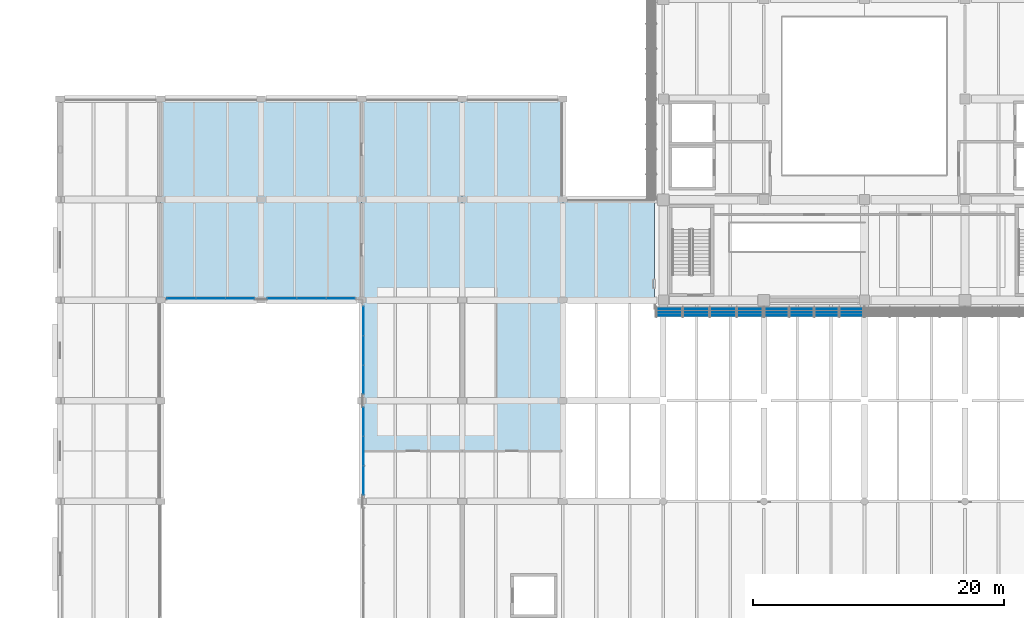
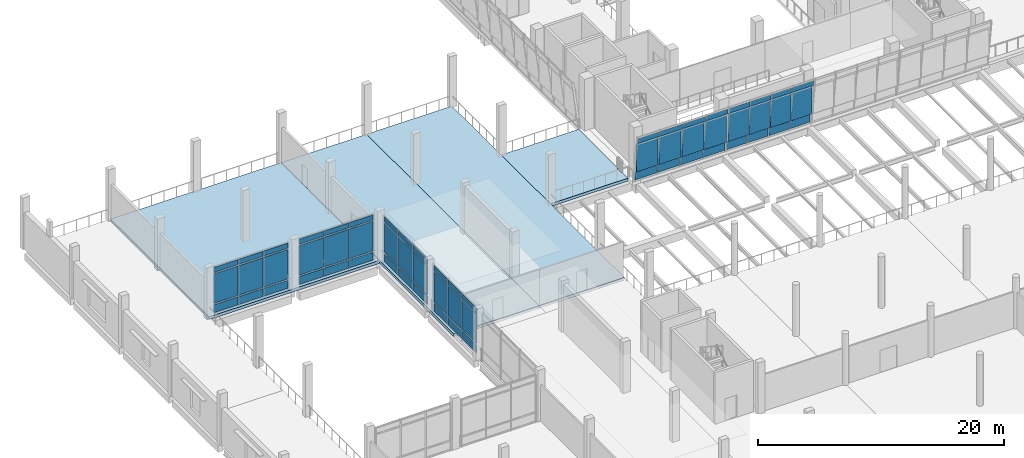
# One storey, part 27 of 61: 60 plates, 4 slabs, 6 elements without a shape of their own.
"""IFC4 building model written with IfcOpenShell, lengths in metres."""

from ifc_helpers import new_model, si_unit, direction, frame, origin, origin_2d, place, context, subcontext, project, spatial, polyline, rectangle, outline, extrude, material, layer, layer_set, type_object, element, aggregate, save


model = new_model("IFC4")

# Units and contexts
model_context = context("Model", 3, precision=1e-05, world=origin(), true_north=direction((0.0, 1.0)))
body_context = subcontext(model_context, "Body", "Model", "MODEL_VIEW")
ifc_project = project(units=[si_unit("LENGTHUNIT", "METRE"), si_unit("AREAUNIT", "SQUARE_METRE"), si_unit("VOLUMEUNIT", "CUBIC_METRE"), si_unit("PLANEANGLEUNIT", "RADIAN"), si_unit("MASSUNIT", "GRAM", prefix="KILO")], contexts=[model_context])

# Site, building, storey
site_placement = place(None, origin())
site = spatial("IfcSite", under=ifc_project, at=site_placement, CompositionType="ELEMENT")
building_placement = place(site_placement, origin())
building = spatial("IfcBuilding", under=site, at=building_placement, Name="Pecanmere Concourse Central Library", CompositionType="ELEMENT")
storey_placement = place(building_placement, frame((0.0, 0.0, 5.39990234375)))
storey = spatial("IfcBuildingStorey", under=building, at=storey_placement, Name="L02", CompositionType="ELEMENT", Elevation=5.39990234375)

# Curtain wall, plates
ifc_material_1 = material(Name="Clear anodized aluminium alloy 6063-T6", Category="aluminium")
curtain_wall_type_1 = type_object("IfcCurtainWallType", Name="CW_CLOISTER_GLAZ", PredefinedType="USERDEFINED", material=ifc_material_1)
curtain_wall_1_placement = place(storey_placement, origin())
curtain_wall_1 = element("IfcCurtainWall", 1, at=curtain_wall_1_placement, inside=storey, type_object=curtain_wall_type_1, Name="Unitised Curtain Wall CW-04 L02-118", ObjectType="UNITISED CURTAIN WALL", PredefinedType="USERDEFINED")
ifc_material_2 = material(Name="White ceramic-fritted insulated spandrel glazing", Category="glass")
ifc_layer_1 = layer(ifc_material_2, 0.053955078125, Name="CWP_SPN_54")
ifc_layer_set_1 = layer_set([ifc_layer_1], Name="White ceramic-fritted insulated spandrel glazing")
plate_type_1 = type_object("IfcPlateType", Name="CWP_SPN_54", PredefinedType="CURTAIN_PANEL", material=ifc_layer_set_1)
plate_1_placement = place(storey_placement, frame((48.14990234375, 80.331787109375, 0.14013671875), z_axis=(0.0, 0.0, 1.0), x_axis=(0.0, -1.0, 0.0)))
plate_1 = element("IfcPlate", 2, at=plate_1_placement, type_object=plate_type_1, Name="CW-04 Spandrel Panel 1.1", PredefinedType="CURTAIN_PANEL", context=body_context, shape_type="SweptSolid", body=[
    extrude(rectangle(XDim=2.256591796875, YDim=0.035888671875, at=origin_2d()), origin(), (0.0, 0.0, 1.0), 0.7900390625),
])
plate_2_placement = place(storey_placement, frame((48.14990234375, 78.0, 0.14013671875), z_axis=(0.0, 0.0, 1.0), x_axis=(0.0, -1.0, 0.0)))
plate_2 = element("IfcPlate", 3, at=plate_2_placement, type_object=plate_type_1, Name="CW-04 Spandrel Panel 2.1", PredefinedType="CURTAIN_PANEL", context=body_context, shape_type="SweptSolid", body=[
    extrude(rectangle(XDim=2.28662109375, YDim=0.035888671875, at=origin_2d()), origin(), (0.0, 0.0, 1.0), 0.7900390625),
])
plate_3_placement = place(storey_placement, frame((48.14990234375, 75.668212890625, 0.14013671875), z_axis=(0.0, 0.0, 1.0), x_axis=(0.0, -1.0, 0.0)))
plate_3 = element("IfcPlate", 4, at=plate_3_placement, type_object=plate_type_1, Name="CW-04 Spandrel Panel 3.1", PredefinedType="CURTAIN_PANEL", context=body_context, shape_type="SweptSolid", body=[
    extrude(rectangle(XDim=2.256591796875, YDim=0.035888671875, at=origin_2d()), origin(), (0.0, 0.0, 1.0), 0.7900390625),
])

curtain_wall_2_placement = place(storey_placement, origin())
curtain_wall_2 = element("IfcCurtainWall", 5, at=curtain_wall_2_placement, inside=storey, type_object=curtain_wall_type_1, Name="Unitised Curtain Wall CW-04 L02-120", ObjectType="UNITISED CURTAIN WALL", PredefinedType="USERDEFINED")
plate_4_placement = place(storey_placement, frame((48.14990234375, 88.331787109375, 0.14013671875), z_axis=(0.0, 0.0, 1.0), x_axis=(0.0, -1.0, 0.0)))
plate_4 = element("IfcPlate", 6, at=plate_4_placement, type_object=plate_type_1, Name="CW-04 Spandrel Panel 1.1", PredefinedType="CURTAIN_PANEL", context=body_context, shape_type="SweptSolid", body=[
    extrude(rectangle(XDim=2.256591796875, YDim=0.035888671875, at=origin_2d()), origin(), (0.0, 0.0, 1.0), 0.7900390625),
])
plate_5_placement = place(storey_placement, frame((48.14990234375, 86.0, 0.14013671875), z_axis=(0.0, 0.0, 1.0), x_axis=(0.0, -1.0, 0.0)))
plate_5 = element("IfcPlate", 7, at=plate_5_placement, type_object=plate_type_1, Name="CW-04 Spandrel Panel 2.1", PredefinedType="CURTAIN_PANEL", context=body_context, shape_type="SweptSolid", body=[
    extrude(rectangle(XDim=2.28662109375, YDim=0.035888671875, at=origin_2d()), origin(), (0.0, 0.0, 1.0), 0.7900390625),
])
plate_6_placement = place(storey_placement, frame((48.14990234375, 83.668212890625, 0.14013671875), z_axis=(0.0, 0.0, 1.0), x_axis=(0.0, -1.0, 0.0)))
plate_6 = element("IfcPlate", 8, at=plate_6_placement, type_object=plate_type_1, Name="CW-04 Spandrel Panel 3.1", PredefinedType="CURTAIN_PANEL", context=body_context, shape_type="SweptSolid", body=[
    extrude(rectangle(XDim=2.256591796875, YDim=0.035888671875, at=origin_2d()), origin(), (0.0, 0.0, 1.0), 0.7900390625),
])

curtain_wall_3_placement = place(storey_placement, origin())
curtain_wall_3 = element("IfcCurtainWall", 9, at=curtain_wall_3_placement, inside=storey, type_object=curtain_wall_type_1, Name="Unitised Curtain Wall CW-04 L02-126", ObjectType="UNITISED CURTAIN WALL", PredefinedType="USERDEFINED")
plate_7_placement = place(storey_placement, frame((38.331787109375, 90.14990234375, 0.14013671875), z_axis=(0.0, 0.0, 1.0), x_axis=(-1.0, 0.0, 0.0)))
plate_7 = element("IfcPlate", 10, at=plate_7_placement, type_object=plate_type_1, Name="CW-04 Spandrel Panel 1.1", PredefinedType="CURTAIN_PANEL", context=body_context, shape_type="SweptSolid", body=[
    extrude(rectangle(XDim=2.256591796875, YDim=0.035888671875, at=origin_2d()), origin(), (0.0, 0.0, 1.0), 0.7900390625),
])
plate_8_placement = place(storey_placement, frame((36.0, 90.14990234375, 0.14013671875), z_axis=(0.0, 0.0, 1.0), x_axis=(-1.0, 0.0, 0.0)))
plate_8 = element("IfcPlate", 11, at=plate_8_placement, type_object=plate_type_1, Name="CW-04 Spandrel Panel 2.1", PredefinedType="CURTAIN_PANEL", context=body_context, shape_type="SweptSolid", body=[
    extrude(rectangle(XDim=2.28662109375, YDim=0.035888671875, at=origin_2d()), origin(), (0.0, 0.0, 1.0), 0.7900390625),
])
plate_9_placement = place(storey_placement, frame((33.668212890625, 90.14990234375, 0.14013671875), z_axis=(0.0, 0.0, 1.0), x_axis=(-1.0, 0.0, 0.0)))
plate_9 = element("IfcPlate", 12, at=plate_9_placement, type_object=plate_type_1, Name="CW-04 Spandrel Panel 3.1", PredefinedType="CURTAIN_PANEL", context=body_context, shape_type="SweptSolid", body=[
    extrude(rectangle(XDim=2.256591796875, YDim=0.035888671875, at=origin_2d()), origin(), (0.0, 0.0, 1.0), 0.7900390625),
])

curtain_wall_4_placement = place(storey_placement, origin())
curtain_wall_4 = element("IfcCurtainWall", 13, at=curtain_wall_4_placement, inside=storey, type_object=curtain_wall_type_1, Name="Unitised Curtain Wall CW-04 L02-128", ObjectType="UNITISED CURTAIN WALL", PredefinedType="USERDEFINED")
plate_10_placement = place(storey_placement, frame((46.331787109375, 90.14990234375, 0.14013671875), z_axis=(0.0, 0.0, 1.0), x_axis=(-1.0, 0.0, 0.0)))
plate_10 = element("IfcPlate", 14, at=plate_10_placement, type_object=plate_type_1, Name="CW-04 Spandrel Panel 1.1", PredefinedType="CURTAIN_PANEL", context=body_context, shape_type="SweptSolid", body=[
    extrude(rectangle(XDim=2.256591796875, YDim=0.035888671875, at=origin_2d()), origin(), (0.0, 0.0, 1.0), 0.7900390625),
])
plate_11_placement = place(storey_placement, frame((44.0, 90.14990234375, 0.14013671875), z_axis=(0.0, 0.0, 1.0), x_axis=(-1.0, 0.0, 0.0)))
plate_11 = element("IfcPlate", 15, at=plate_11_placement, type_object=plate_type_1, Name="CW-04 Spandrel Panel 2.1", PredefinedType="CURTAIN_PANEL", context=body_context, shape_type="SweptSolid", body=[
    extrude(rectangle(XDim=2.28662109375, YDim=0.035888671875, at=origin_2d()), origin(), (0.0, 0.0, 1.0), 0.7900390625),
])
plate_12_placement = place(storey_placement, frame((41.668212890625, 90.14990234375, 0.14013671875), z_axis=(0.0, 0.0, 1.0), x_axis=(-1.0, 0.0, 0.0)))
plate_12 = element("IfcPlate", 16, at=plate_12_placement, type_object=plate_type_1, Name="CW-04 Spandrel Panel 3.1", PredefinedType="CURTAIN_PANEL", context=body_context, shape_type="SweptSolid", body=[
    extrude(rectangle(XDim=2.256591796875, YDim=0.035888671875, at=origin_2d()), origin(), (0.0, 0.0, 1.0), 0.7900390625),
])

ifc_material_3 = material(Name="Anodized bronze aluminium alloy 6063-T6", Category="aluminium")
curtain_wall_type_2 = type_object("IfcCurtainWallType", Name="CW_LEAN_BANDED", PredefinedType="USERDEFINED", material=ifc_material_3)
curtain_wall_5_placement = place(storey_placement, origin())
curtain_wall_5 = element("IfcCurtainWall", 17, at=curtain_wall_5_placement, inside=storey, type_object=curtain_wall_type_2, Name="Unitised Curtain Wall CW-01 L02-012", ObjectType="UNITISED CURTAIN WALL", PredefinedType="USERDEFINED")
ifc_material_4 = material(Name="White ceramic-fritted insulated spandrel glazing", Category="glass")
ifc_layer_2 = layer(ifc_material_4, 0.06396484375, Name="CWP_SPN_64")
ifc_layer_set_2 = layer_set([ifc_layer_2], Name="White ceramic-fritted insulated spandrel glazing")
plate_type_2 = type_object("IfcPlateType", Name="CWP_SPN_64", PredefinedType="CURTAIN_PANEL", material=ifc_layer_set_2)
plate_13_placement = place(storey_placement, frame((72.49267578125, 89.283447265625, 0.18017578125), z_axis=(0.0, 0.0, 1.0), x_axis=(1.0, 0.0, 0.0)))
plate_13 = element("IfcPlate", 18, at=plate_13_placement, type_object=plate_type_2, Name="CW-01 Spandrel Panel 1.1", PredefinedType="CURTAIN_PANEL", context=body_context, shape_type="SweptSolid", body=[
    extrude(rectangle(XDim=2.036376953125, YDim=0.0419921875, at=origin_2d()), origin(), (0.0, 0.0, 1.0), 0.780029296875),
])
plate_14_placement = place(storey_placement, frame((74.622802734375, 89.283447265625, 0.18017578125), z_axis=(0.0, 0.0, 1.0), x_axis=(1.0, 0.0, 0.0)))
plate_14 = element("IfcPlate", 19, at=plate_14_placement, type_object=plate_type_2, Name="CW-01 Spandrel Panel 2.1", PredefinedType="CURTAIN_PANEL", context=body_context, shape_type="SweptSolid", body=[
    extrude(rectangle(XDim=2.073974609375, YDim=0.0419921875, at=origin_2d()), origin(), (0.0, 0.0, 1.0), 0.780029296875),
])
plate_15_placement = place(storey_placement, frame((76.771728515625, 89.283447265625, 0.18017578125), z_axis=(0.0, 0.0, 1.0), x_axis=(1.0, 0.0, 0.0)))
plate_15 = element("IfcPlate", 20, at=plate_15_placement, type_object=plate_type_2, Name="CW-01 Spandrel Panel 3.1", PredefinedType="CURTAIN_PANEL", context=body_context, shape_type="SweptSolid", body=[
    extrude(rectangle(XDim=2.073974609375, YDim=0.0419921875, at=origin_2d()), origin(), (0.0, 0.0, 1.0), 0.780029296875),
])
plate_16_placement = place(storey_placement, frame((78.90185546875, 89.283447265625, 0.18017578125), z_axis=(0.0, 0.0, 1.0), x_axis=(1.0, 0.0, 0.0)))
plate_16 = element("IfcPlate", 21, at=plate_16_placement, type_object=plate_type_2, Name="CW-01 Spandrel Panel 4.1", PredefinedType="CURTAIN_PANEL", context=body_context, shape_type="SweptSolid", body=[
    extrude(rectangle(XDim=2.036376953125, YDim=0.0419921875, at=origin_2d()), origin(), (0.0, 0.0, 1.0), 0.780029296875),
])

curtain_wall_6_placement = place(storey_placement, origin())
curtain_wall_6 = element("IfcCurtainWall", 22, at=curtain_wall_6_placement, inside=storey, type_object=curtain_wall_type_2, Name="Unitised Curtain Wall CW-01 L02-013", ObjectType="UNITISED CURTAIN WALL", PredefinedType="USERDEFINED")
plate_17_placement = place(storey_placement, frame((81.0224609375, 89.283447265625, 0.18017578125), z_axis=(0.0, 0.0, 1.0), x_axis=(1.0, 0.0, 0.0)))
plate_17 = element("IfcPlate", 23, at=plate_17_placement, type_object=plate_type_2, Name="CW-01 Spandrel Panel 1.1", PredefinedType="CURTAIN_PANEL", context=body_context, shape_type="SweptSolid", body=[
    extrude(rectangle(XDim=1.885009765625, YDim=0.0419921875, at=origin_2d()), origin(), (0.0, 0.0, 1.0), 0.780029296875),
])
plate_18_placement = place(storey_placement, frame((83.001220703125, 89.283447265625, 0.18017578125), z_axis=(0.0, 0.0, 1.0), x_axis=(1.0, 0.0, 0.0)))
plate_18 = element("IfcPlate", 24, at=plate_18_placement, type_object=plate_type_2, Name="CW-01 Spandrel Panel 2.1", PredefinedType="CURTAIN_PANEL", context=body_context, shape_type="SweptSolid", body=[
    extrude(rectangle(XDim=1.922607421875, YDim=0.0419921875, at=origin_2d()), origin(), (0.0, 0.0, 1.0), 0.780029296875),
])
plate_19_placement = place(storey_placement, frame((84.998779296875, 89.283447265625, 0.18017578125), z_axis=(0.0, 0.0, 1.0), x_axis=(1.0, 0.0, 0.0)))
plate_19 = element("IfcPlate", 25, at=plate_19_placement, type_object=plate_type_2, Name="CW-01 Spandrel Panel 3.1", PredefinedType="CURTAIN_PANEL", context=body_context, shape_type="SweptSolid", body=[
    extrude(rectangle(XDim=1.922607421875, YDim=0.0419921875, at=origin_2d()), origin(), (0.0, 0.0, 1.0), 0.780029296875),
])
plate_20_placement = place(storey_placement, frame((86.9775390625, 89.283447265625, 0.18017578125), z_axis=(0.0, 0.0, 1.0), x_axis=(1.0, 0.0, 0.0)))
plate_20 = element("IfcPlate", 26, at=plate_20_placement, type_object=plate_type_2, Name="CW-01 Spandrel Panel 4.1", PredefinedType="CURTAIN_PANEL", context=body_context, shape_type="SweptSolid", body=[
    extrude(rectangle(XDim=1.885009765625, YDim=0.0419921875, at=origin_2d()), origin(), (0.0, 0.0, 1.0), 0.780029296875),
])

# Plate
ifc_material_5 = material(Name="Low-iron clear insulated glazing", Category="glass")
ifc_layer_3 = layer(ifc_material_5, 0.035888671875, Name="CWP_VIS_36")
ifc_layer_set_3 = layer_set([ifc_layer_3], Name="Low-iron clear insulated glazing")
plate_type_3 = type_object("IfcPlateType", Name="CWP_VIS_36", PredefinedType="CURTAIN_PANEL", material=ifc_layer_set_3)
plate_21_placement = place(storey_placement, frame((48.14990234375, 80.331787109375, 1.070068359375), z_axis=(0.0, 0.0, 1.0), x_axis=(0.0, -1.0, 0.0)))
plate_21 = element("IfcPlate", 27, at=plate_21_placement, type_object=plate_type_3, Name="CW-04 Vision Panel 1.2", PredefinedType="CURTAIN_PANEL", context=body_context, shape_type="SweptSolid", body=[
    extrude(rectangle(XDim=2.256591796875, YDim=0.035888671875, at=origin_2d()), origin(), (0.0, 0.0, 1.0), 2.919921875),
])

plate_22_placement = place(storey_placement, frame((48.14990234375, 80.331787109375, 4.1298828125), z_axis=(0.0, 0.0, 1.0), x_axis=(0.0, -1.0, 0.0)))
plate_22 = element("IfcPlate", 28, at=plate_22_placement, type_object=plate_type_3, Name="CW-04 Vision Panel 1.3", PredefinedType="CURTAIN_PANEL", context=body_context, shape_type="SweptSolid", body=[
    extrude(rectangle(XDim=2.256591796875, YDim=0.035888671875, at=origin_2d()), origin(), (0.0, 0.0, 1.0), 0.489990234375),
])

plate_23_placement = place(storey_placement, frame((48.14990234375, 78.0, 1.070068359375), z_axis=(0.0, 0.0, 1.0), x_axis=(0.0, -1.0, 0.0)))
plate_23 = element("IfcPlate", 29, at=plate_23_placement, type_object=plate_type_3, Name="CW-04 Vision Panel 2.2", PredefinedType="CURTAIN_PANEL", context=body_context, shape_type="SweptSolid", body=[
    extrude(rectangle(XDim=2.28662109375, YDim=0.035888671875, at=origin_2d()), origin(), (0.0, 0.0, 1.0), 2.919921875),
])

plate_24_placement = place(storey_placement, frame((48.14990234375, 78.0, 4.1298828125), z_axis=(0.0, 0.0, 1.0), x_axis=(0.0, -1.0, 0.0)))
plate_24 = element("IfcPlate", 30, at=plate_24_placement, type_object=plate_type_3, Name="CW-04 Vision Panel 2.3", PredefinedType="CURTAIN_PANEL", context=body_context, shape_type="SweptSolid", body=[
    extrude(rectangle(XDim=2.28662109375, YDim=0.035888671875, at=origin_2d()), origin(), (0.0, 0.0, 1.0), 0.489990234375),
])

plate_25_placement = place(storey_placement, frame((48.14990234375, 75.668212890625, 1.070068359375), z_axis=(0.0, 0.0, 1.0), x_axis=(0.0, -1.0, 0.0)))
plate_25 = element("IfcPlate", 31, at=plate_25_placement, type_object=plate_type_3, Name="CW-04 Vision Panel 3.2", PredefinedType="CURTAIN_PANEL", context=body_context, shape_type="SweptSolid", body=[
    extrude(rectangle(XDim=2.256591796875, YDim=0.035888671875, at=origin_2d()), origin(), (0.0, 0.0, 1.0), 2.919921875),
])

plate_26_placement = place(storey_placement, frame((48.14990234375, 75.668212890625, 4.1298828125), z_axis=(0.0, 0.0, 1.0), x_axis=(0.0, -1.0, 0.0)))
plate_26 = element("IfcPlate", 32, at=plate_26_placement, type_object=plate_type_3, Name="CW-04 Vision Panel 3.3", PredefinedType="CURTAIN_PANEL", context=body_context, shape_type="SweptSolid", body=[
    extrude(rectangle(XDim=2.256591796875, YDim=0.035888671875, at=origin_2d()), origin(), (0.0, 0.0, 1.0), 0.489990234375),
])

aggregate(curtain_wall_1, [plate_1, plate_21, plate_22, plate_2, plate_23, plate_24, plate_3, plate_25, plate_26])

plate_27_placement = place(storey_placement, frame((48.14990234375, 88.331787109375, 1.070068359375), z_axis=(0.0, 0.0, 1.0), x_axis=(0.0, -1.0, 0.0)))
plate_27 = element("IfcPlate", 33, at=plate_27_placement, type_object=plate_type_3, Name="CW-04 Vision Panel 1.2", PredefinedType="CURTAIN_PANEL", context=body_context, shape_type="SweptSolid", body=[
    extrude(rectangle(XDim=2.256591796875, YDim=0.035888671875, at=origin_2d()), origin(), (0.0, 0.0, 1.0), 2.919921875),
])

plate_28_placement = place(storey_placement, frame((48.14990234375, 88.331787109375, 4.1298828125), z_axis=(0.0, 0.0, 1.0), x_axis=(0.0, -1.0, 0.0)))
plate_28 = element("IfcPlate", 34, at=plate_28_placement, type_object=plate_type_3, Name="CW-04 Vision Panel 1.3", PredefinedType="CURTAIN_PANEL", context=body_context, shape_type="SweptSolid", body=[
    extrude(rectangle(XDim=2.256591796875, YDim=0.035888671875, at=origin_2d()), origin(), (0.0, 0.0, 1.0), 0.489990234375),
])

plate_29_placement = place(storey_placement, frame((48.14990234375, 86.0, 1.070068359375), z_axis=(0.0, 0.0, 1.0), x_axis=(0.0, -1.0, 0.0)))
plate_29 = element("IfcPlate", 35, at=plate_29_placement, type_object=plate_type_3, Name="CW-04 Vision Panel 2.2", PredefinedType="CURTAIN_PANEL", context=body_context, shape_type="SweptSolid", body=[
    extrude(rectangle(XDim=2.28662109375, YDim=0.035888671875, at=origin_2d()), origin(), (0.0, 0.0, 1.0), 2.919921875),
])

plate_30_placement = place(storey_placement, frame((48.14990234375, 86.0, 4.1298828125), z_axis=(0.0, 0.0, 1.0), x_axis=(0.0, -1.0, 0.0)))
plate_30 = element("IfcPlate", 36, at=plate_30_placement, type_object=plate_type_3, Name="CW-04 Vision Panel 2.3", PredefinedType="CURTAIN_PANEL", context=body_context, shape_type="SweptSolid", body=[
    extrude(rectangle(XDim=2.28662109375, YDim=0.035888671875, at=origin_2d()), origin(), (0.0, 0.0, 1.0), 0.489990234375),
])

plate_31_placement = place(storey_placement, frame((48.14990234375, 83.668212890625, 1.070068359375), z_axis=(0.0, 0.0, 1.0), x_axis=(0.0, -1.0, 0.0)))
plate_31 = element("IfcPlate", 37, at=plate_31_placement, type_object=plate_type_3, Name="CW-04 Vision Panel 3.2", PredefinedType="CURTAIN_PANEL", context=body_context, shape_type="SweptSolid", body=[
    extrude(rectangle(XDim=2.256591796875, YDim=0.035888671875, at=origin_2d()), origin(), (0.0, 0.0, 1.0), 2.919921875),
])

plate_32_placement = place(storey_placement, frame((48.14990234375, 83.668212890625, 4.1298828125), z_axis=(0.0, 0.0, 1.0), x_axis=(0.0, -1.0, 0.0)))
plate_32 = element("IfcPlate", 38, at=plate_32_placement, type_object=plate_type_3, Name="CW-04 Vision Panel 3.3", PredefinedType="CURTAIN_PANEL", context=body_context, shape_type="SweptSolid", body=[
    extrude(rectangle(XDim=2.256591796875, YDim=0.035888671875, at=origin_2d()), origin(), (0.0, 0.0, 1.0), 0.489990234375),
])

aggregate(curtain_wall_2, [plate_4, plate_27, plate_28, plate_5, plate_29, plate_30, plate_6, plate_31, plate_32])

plate_33_placement = place(storey_placement, frame((38.331787109375, 90.14990234375, 1.070068359375), z_axis=(0.0, 0.0, 1.0), x_axis=(-1.0, 0.0, 0.0)))
plate_33 = element("IfcPlate", 39, at=plate_33_placement, type_object=plate_type_3, Name="CW-04 Vision Panel 1.2", PredefinedType="CURTAIN_PANEL", context=body_context, shape_type="SweptSolid", body=[
    extrude(rectangle(XDim=2.256591796875, YDim=0.035888671875, at=origin_2d()), origin(), (0.0, 0.0, 1.0), 2.919921875),
])

plate_34_placement = place(storey_placement, frame((38.331787109375, 90.14990234375, 4.1298828125), z_axis=(0.0, 0.0, 1.0), x_axis=(-1.0, 0.0, 0.0)))
plate_34 = element("IfcPlate", 40, at=plate_34_placement, type_object=plate_type_3, Name="CW-04 Vision Panel 1.3", PredefinedType="CURTAIN_PANEL", context=body_context, shape_type="SweptSolid", body=[
    extrude(rectangle(XDim=2.256591796875, YDim=0.035888671875, at=origin_2d()), origin(), (0.0, 0.0, 1.0), 0.489990234375),
])

plate_35_placement = place(storey_placement, frame((36.0, 90.14990234375, 1.070068359375), z_axis=(0.0, 0.0, 1.0), x_axis=(-1.0, 0.0, 0.0)))
plate_35 = element("IfcPlate", 41, at=plate_35_placement, type_object=plate_type_3, Name="CW-04 Vision Panel 2.2", PredefinedType="CURTAIN_PANEL", context=body_context, shape_type="SweptSolid", body=[
    extrude(rectangle(XDim=2.28662109375, YDim=0.035888671875, at=origin_2d()), origin(), (0.0, 0.0, 1.0), 2.919921875),
])

plate_36_placement = place(storey_placement, frame((36.0, 90.14990234375, 4.1298828125), z_axis=(0.0, 0.0, 1.0), x_axis=(-1.0, 0.0, 0.0)))
plate_36 = element("IfcPlate", 42, at=plate_36_placement, type_object=plate_type_3, Name="CW-04 Vision Panel 2.3", PredefinedType="CURTAIN_PANEL", context=body_context, shape_type="SweptSolid", body=[
    extrude(rectangle(XDim=2.28662109375, YDim=0.035888671875, at=origin_2d()), origin(), (0.0, 0.0, 1.0), 0.489990234375),
])

plate_37_placement = place(storey_placement, frame((33.668212890625, 90.14990234375, 1.070068359375), z_axis=(0.0, 0.0, 1.0), x_axis=(-1.0, 0.0, 0.0)))
plate_37 = element("IfcPlate", 43, at=plate_37_placement, type_object=plate_type_3, Name="CW-04 Vision Panel 3.2", PredefinedType="CURTAIN_PANEL", context=body_context, shape_type="SweptSolid", body=[
    extrude(rectangle(XDim=2.256591796875, YDim=0.035888671875, at=origin_2d()), origin(), (0.0, 0.0, 1.0), 2.919921875),
])

plate_38_placement = place(storey_placement, frame((33.668212890625, 90.14990234375, 4.1298828125), z_axis=(0.0, 0.0, 1.0), x_axis=(-1.0, 0.0, 0.0)))
plate_38 = element("IfcPlate", 44, at=plate_38_placement, type_object=plate_type_3, Name="CW-04 Vision Panel 3.3", PredefinedType="CURTAIN_PANEL", context=body_context, shape_type="SweptSolid", body=[
    extrude(rectangle(XDim=2.256591796875, YDim=0.035888671875, at=origin_2d()), origin(), (0.0, 0.0, 1.0), 0.489990234375),
])

aggregate(curtain_wall_3, [plate_7, plate_33, plate_34, plate_8, plate_35, plate_36, plate_9, plate_37, plate_38])

plate_39_placement = place(storey_placement, frame((46.331787109375, 90.14990234375, 1.070068359375), z_axis=(0.0, 0.0, 1.0), x_axis=(-1.0, 0.0, 0.0)))
plate_39 = element("IfcPlate", 45, at=plate_39_placement, type_object=plate_type_3, Name="CW-04 Vision Panel 1.2", PredefinedType="CURTAIN_PANEL", context=body_context, shape_type="SweptSolid", body=[
    extrude(rectangle(XDim=2.256591796875, YDim=0.035888671875, at=origin_2d()), origin(), (0.0, 0.0, 1.0), 2.919921875),
])

plate_40_placement = place(storey_placement, frame((46.331787109375, 90.14990234375, 4.1298828125), z_axis=(0.0, 0.0, 1.0), x_axis=(-1.0, 0.0, 0.0)))
plate_40 = element("IfcPlate", 46, at=plate_40_placement, type_object=plate_type_3, Name="CW-04 Vision Panel 1.3", PredefinedType="CURTAIN_PANEL", context=body_context, shape_type="SweptSolid", body=[
    extrude(rectangle(XDim=2.256591796875, YDim=0.035888671875, at=origin_2d()), origin(), (0.0, 0.0, 1.0), 0.489990234375),
])

plate_41_placement = place(storey_placement, frame((44.0, 90.14990234375, 1.070068359375), z_axis=(0.0, 0.0, 1.0), x_axis=(-1.0, 0.0, 0.0)))
plate_41 = element("IfcPlate", 47, at=plate_41_placement, type_object=plate_type_3, Name="CW-04 Vision Panel 2.2", PredefinedType="CURTAIN_PANEL", context=body_context, shape_type="SweptSolid", body=[
    extrude(rectangle(XDim=2.28662109375, YDim=0.035888671875, at=origin_2d()), origin(), (0.0, 0.0, 1.0), 2.919921875),
])

plate_42_placement = place(storey_placement, frame((44.0, 90.14990234375, 4.1298828125), z_axis=(0.0, 0.0, 1.0), x_axis=(-1.0, 0.0, 0.0)))
plate_42 = element("IfcPlate", 48, at=plate_42_placement, type_object=plate_type_3, Name="CW-04 Vision Panel 2.3", PredefinedType="CURTAIN_PANEL", context=body_context, shape_type="SweptSolid", body=[
    extrude(rectangle(XDim=2.28662109375, YDim=0.035888671875, at=origin_2d()), origin(), (0.0, 0.0, 1.0), 0.489990234375),
])

plate_43_placement = place(storey_placement, frame((41.668212890625, 90.14990234375, 1.070068359375), z_axis=(0.0, 0.0, 1.0), x_axis=(-1.0, 0.0, 0.0)))
plate_43 = element("IfcPlate", 49, at=plate_43_placement, type_object=plate_type_3, Name="CW-04 Vision Panel 3.2", PredefinedType="CURTAIN_PANEL", context=body_context, shape_type="SweptSolid", body=[
    extrude(rectangle(XDim=2.256591796875, YDim=0.035888671875, at=origin_2d()), origin(), (0.0, 0.0, 1.0), 2.919921875),
])

plate_44_placement = place(storey_placement, frame((41.668212890625, 90.14990234375, 4.1298828125), z_axis=(0.0, 0.0, 1.0), x_axis=(-1.0, 0.0, 0.0)))
plate_44 = element("IfcPlate", 50, at=plate_44_placement, type_object=plate_type_3, Name="CW-04 Vision Panel 3.3", PredefinedType="CURTAIN_PANEL", context=body_context, shape_type="SweptSolid", body=[
    extrude(rectangle(XDim=2.256591796875, YDim=0.035888671875, at=origin_2d()), origin(), (0.0, 0.0, 1.0), 0.489990234375),
])

aggregate(curtain_wall_4, [plate_10, plate_39, plate_40, plate_11, plate_41, plate_42, plate_12, plate_43, plate_44])

ifc_material_6 = material(Name="Low-iron clear insulated glazing", Category="glass")
ifc_layer_4 = layer(ifc_material_6, 0.0419921875, Name="CWP_VIS_42")
ifc_layer_set_4 = layer_set([ifc_layer_4], Name="Low-iron clear insulated glazing")
plate_type_4 = type_object("IfcPlateType", Name="CWP_VIS_42", PredefinedType="CURTAIN_PANEL", material=ifc_layer_set_4)
plate_45_placement = place(storey_placement, frame((72.49267578125, 89.02197265625, 1.14013671875), z_axis=(0.0, 0.0, 1.0), x_axis=(1.0, 0.0, 0.0)))
plate_45 = element("IfcPlate", 51, at=plate_45_placement, type_object=plate_type_4, Name="CW-01 Vision Panel 1.2", PredefinedType="CURTAIN_PANEL", context=body_context, shape_type="SweptSolid", body=[
    extrude(rectangle(XDim=2.036376953125, YDim=0.0419921875, at=origin_2d()), origin(), (0.0, 0.0, 1.0), 2.780029296875),
])

plate_46_placement = place(storey_placement, frame((72.49267578125, 88.780517578125, 4.10009765625), z_axis=(0.0, 0.0, 1.0), x_axis=(1.0, 0.0, 0.0)))
plate_46 = element("IfcPlate", 52, at=plate_46_placement, type_object=plate_type_4, Name="CW-01 Vision Panel 1.3", PredefinedType="CURTAIN_PANEL", context=body_context, shape_type="SweptSolid", body=[
    extrude(rectangle(XDim=2.036376953125, YDim=0.0419921875, at=origin_2d()), origin(), (0.0, 0.0, 1.0), 0.47998046875),
])

plate_47_placement = place(storey_placement, frame((74.622802734375, 89.02197265625, 1.14013671875), z_axis=(0.0, 0.0, 1.0), x_axis=(1.0, 0.0, 0.0)))
plate_47 = element("IfcPlate", 53, at=plate_47_placement, type_object=plate_type_4, Name="CW-01 Vision Panel 2.2", PredefinedType="CURTAIN_PANEL", context=body_context, shape_type="SweptSolid", body=[
    extrude(rectangle(XDim=2.073974609375, YDim=0.0419921875, at=origin_2d()), origin(), (0.0, 0.0, 1.0), 2.780029296875),
])

plate_48_placement = place(storey_placement, frame((74.622802734375, 88.780517578125, 4.10009765625), z_axis=(0.0, 0.0, 1.0), x_axis=(1.0, 0.0, 0.0)))
plate_48 = element("IfcPlate", 54, at=plate_48_placement, type_object=plate_type_4, Name="CW-01 Vision Panel 2.3", PredefinedType="CURTAIN_PANEL", context=body_context, shape_type="SweptSolid", body=[
    extrude(rectangle(XDim=2.073974609375, YDim=0.0419921875, at=origin_2d()), origin(), (0.0, 0.0, 1.0), 0.47998046875),
])

plate_49_placement = place(storey_placement, frame((76.771728515625, 89.02197265625, 1.14013671875), z_axis=(0.0, 0.0, 1.0), x_axis=(1.0, 0.0, 0.0)))
plate_49 = element("IfcPlate", 55, at=plate_49_placement, type_object=plate_type_4, Name="CW-01 Vision Panel 3.2", PredefinedType="CURTAIN_PANEL", context=body_context, shape_type="SweptSolid", body=[
    extrude(rectangle(XDim=2.073974609375, YDim=0.0419921875, at=origin_2d()), origin(), (0.0, 0.0, 1.0), 2.780029296875),
])

plate_50_placement = place(storey_placement, frame((76.771728515625, 88.780517578125, 4.10009765625), z_axis=(0.0, 0.0, 1.0), x_axis=(1.0, 0.0, 0.0)))
plate_50 = element("IfcPlate", 56, at=plate_50_placement, type_object=plate_type_4, Name="CW-01 Vision Panel 3.3", PredefinedType="CURTAIN_PANEL", context=body_context, shape_type="SweptSolid", body=[
    extrude(rectangle(XDim=2.073974609375, YDim=0.0419921875, at=origin_2d()), origin(), (0.0, 0.0, 1.0), 0.47998046875),
])

plate_51_placement = place(storey_placement, frame((78.90185546875, 89.02197265625, 1.14013671875), z_axis=(0.0, 0.0, 1.0), x_axis=(1.0, 0.0, 0.0)))
plate_51 = element("IfcPlate", 57, at=plate_51_placement, type_object=plate_type_4, Name="CW-01 Vision Panel 4.2", PredefinedType="CURTAIN_PANEL", context=body_context, shape_type="SweptSolid", body=[
    extrude(rectangle(XDim=2.036376953125, YDim=0.0419921875, at=origin_2d()), origin(), (0.0, 0.0, 1.0), 2.780029296875),
])

plate_52_placement = place(storey_placement, frame((78.90185546875, 88.780517578125, 4.10009765625), z_axis=(0.0, 0.0, 1.0), x_axis=(1.0, 0.0, 0.0)))
plate_52 = element("IfcPlate", 58, at=plate_52_placement, type_object=plate_type_4, Name="CW-01 Vision Panel 4.3", PredefinedType="CURTAIN_PANEL", context=body_context, shape_type="SweptSolid", body=[
    extrude(rectangle(XDim=2.036376953125, YDim=0.0419921875, at=origin_2d()), origin(), (0.0, 0.0, 1.0), 0.47998046875),
])

aggregate(curtain_wall_5, [plate_13, plate_45, plate_46, plate_14, plate_47, plate_48, plate_15, plate_49, plate_50, plate_16, plate_51, plate_52])

plate_53_placement = place(storey_placement, frame((81.0224609375, 89.02197265625, 1.14013671875), z_axis=(0.0, 0.0, 1.0), x_axis=(1.0, 0.0, 0.0)))
plate_53 = element("IfcPlate", 59, at=plate_53_placement, type_object=plate_type_4, Name="CW-01 Vision Panel 1.2", PredefinedType="CURTAIN_PANEL", context=body_context, shape_type="SweptSolid", body=[
    extrude(rectangle(XDim=1.885009765625, YDim=0.0419921875, at=origin_2d()), origin(), (0.0, 0.0, 1.0), 2.780029296875),
])

plate_54_placement = place(storey_placement, frame((81.0224609375, 88.780517578125, 4.10009765625), z_axis=(0.0, 0.0, 1.0), x_axis=(1.0, 0.0, 0.0)))
plate_54 = element("IfcPlate", 60, at=plate_54_placement, type_object=plate_type_4, Name="CW-01 Vision Panel 1.3", PredefinedType="CURTAIN_PANEL", context=body_context, shape_type="SweptSolid", body=[
    extrude(rectangle(XDim=1.885009765625, YDim=0.0419921875, at=origin_2d()), origin(), (0.0, 0.0, 1.0), 0.47998046875),
])

plate_55_placement = place(storey_placement, frame((83.001220703125, 89.02197265625, 1.14013671875), z_axis=(0.0, 0.0, 1.0), x_axis=(1.0, 0.0, 0.0)))
plate_55 = element("IfcPlate", 61, at=plate_55_placement, type_object=plate_type_4, Name="CW-01 Vision Panel 2.2", PredefinedType="CURTAIN_PANEL", context=body_context, shape_type="SweptSolid", body=[
    extrude(rectangle(XDim=1.922607421875, YDim=0.0419921875, at=origin_2d()), origin(), (0.0, 0.0, 1.0), 2.780029296875),
])

plate_56_placement = place(storey_placement, frame((83.001220703125, 88.780517578125, 4.10009765625), z_axis=(0.0, 0.0, 1.0), x_axis=(1.0, 0.0, 0.0)))
plate_56 = element("IfcPlate", 62, at=plate_56_placement, type_object=plate_type_4, Name="CW-01 Vision Panel 2.3", PredefinedType="CURTAIN_PANEL", context=body_context, shape_type="SweptSolid", body=[
    extrude(rectangle(XDim=1.922607421875, YDim=0.0419921875, at=origin_2d()), origin(), (0.0, 0.0, 1.0), 0.47998046875),
])

plate_57_placement = place(storey_placement, frame((84.998779296875, 89.02197265625, 1.14013671875), z_axis=(0.0, 0.0, 1.0), x_axis=(1.0, 0.0, 0.0)))
plate_57 = element("IfcPlate", 63, at=plate_57_placement, type_object=plate_type_4, Name="CW-01 Vision Panel 3.2", PredefinedType="CURTAIN_PANEL", context=body_context, shape_type="SweptSolid", body=[
    extrude(rectangle(XDim=1.922607421875, YDim=0.0419921875, at=origin_2d()), origin(), (0.0, 0.0, 1.0), 2.780029296875),
])

plate_58_placement = place(storey_placement, frame((84.998779296875, 88.780517578125, 4.10009765625), z_axis=(0.0, 0.0, 1.0), x_axis=(1.0, 0.0, 0.0)))
plate_58 = element("IfcPlate", 64, at=plate_58_placement, type_object=plate_type_4, Name="CW-01 Vision Panel 3.3", PredefinedType="CURTAIN_PANEL", context=body_context, shape_type="SweptSolid", body=[
    extrude(rectangle(XDim=1.922607421875, YDim=0.0419921875, at=origin_2d()), origin(), (0.0, 0.0, 1.0), 0.47998046875),
])

plate_59_placement = place(storey_placement, frame((86.9775390625, 89.02197265625, 1.14013671875), z_axis=(0.0, 0.0, 1.0), x_axis=(1.0, 0.0, 0.0)))
plate_59 = element("IfcPlate", 65, at=plate_59_placement, type_object=plate_type_4, Name="CW-01 Vision Panel 4.2", PredefinedType="CURTAIN_PANEL", context=body_context, shape_type="SweptSolid", body=[
    extrude(rectangle(XDim=1.885009765625, YDim=0.0419921875, at=origin_2d()), origin(), (0.0, 0.0, 1.0), 2.780029296875),
])

plate_60_placement = place(storey_placement, frame((86.9775390625, 88.780517578125, 4.10009765625), z_axis=(0.0, 0.0, 1.0), x_axis=(1.0, 0.0, 0.0)))
plate_60 = element("IfcPlate", 66, at=plate_60_placement, type_object=plate_type_4, Name="CW-01 Vision Panel 4.3", PredefinedType="CURTAIN_PANEL", context=body_context, shape_type="SweptSolid", body=[
    extrude(rectangle(XDim=1.885009765625, YDim=0.0419921875, at=origin_2d()), origin(), (0.0, 0.0, 1.0), 0.47998046875),
])

aggregate(curtain_wall_6, [plate_17, plate_53, plate_54, plate_18, plate_55, plate_56, plate_19, plate_57, plate_58, plate_20, plate_59, plate_60])

# Slabs
ifc_material_7 = material(Name="Concrete C35/45", Category="concrete")
ifc_layer_5 = layer(ifc_material_7, 0.284912109375, Name="SLAB_READ_285")
ifc_layer_set_5 = layer_set([ifc_layer_5], Name="Concrete C35/45")
slab_type = type_object("IfcSlabType", Name="SLAB_READ_285", PredefinedType="FLOOR", material=ifc_layer_set_5)
slab_1_placement = place(storey_placement, frame((0.0, 0.0, -0.284912109375)))
element("IfcSlab", 67, at=slab_1_placement, inside=storey, type_object=slab_type, Name="Floor Slab V3 L02-082", PredefinedType="FLOOR", context=body_context, shape_type="SweptSolid", body=[
    extrude(outline(polyline([(48.0, 106.0), (48.0, 91.60009765625), (47.919921875, 91.60009765625), (47.919921875, 91.0), (48.0, 91.0), (48.0, 90.0), (32.0, 90.0), (32.0, 106.0), (48.0, 106.0)])), origin(), (0.0, 0.0, 1.0), 0.284912109375),
])
slab_2_placement = place(storey_placement, frame((0.0, 0.0, -0.284912109375)))
element("IfcSlab", 68, at=slab_2_placement, inside=storey, type_object=slab_type, Name="Floor Slab V3 L02-084", PredefinedType="FLOOR", context=body_context, shape_type="SweptSolid", body=[
    extrude(outline(polyline([(48.0, 78.0), (48.0, 90.0), (48.0, 106.0), (56.0, 106.0), (56.0, 78.0), (48.0, 78.0)])), origin(), (0.0, 0.0, 1.0), 0.284912109375),
])
slab_3_placement = place(storey_placement, frame((0.0, 0.0, -0.284912109375)))
element("IfcSlab", 69, at=slab_3_placement, inside=storey, type_object=slab_type, Name="Floor Slab V3 L02-086", PredefinedType="FLOOR", context=body_context, shape_type="SweptSolid", body=[
    extrude(outline(polyline([(64.0, 90.0), (64.0, 78.0), (56.0, 78.0), (56.0, 106.0), (64.0, 106.0), (64.0, 98.0), (64.0, 90.0)])), origin(), (0.0, 0.0, 1.0), 0.284912109375),
])
slab_4_placement = place(storey_placement, frame((0.0, 0.0, -0.284912109375)))
element("IfcSlab", 70, at=slab_4_placement, inside=storey, type_object=slab_type, Name="Floor Slab V3 L02-087", PredefinedType="FLOOR", context=body_context, shape_type="SweptSolid", body=[
    extrude(outline(polyline([(64.0, 98.0), (71.279541015625, 98.0), (71.279541015625, 91.60009765625), (71.199462890625, 91.60009765625), (71.199462890625, 91.0), (71.279541015625, 91.0), (71.279541015625, 90.0), (64.0, 90.0), (64.0, 98.0)])), origin(), (0.0, 0.0, 1.0), 0.284912109375),
])

save(model, "model.ifc")
